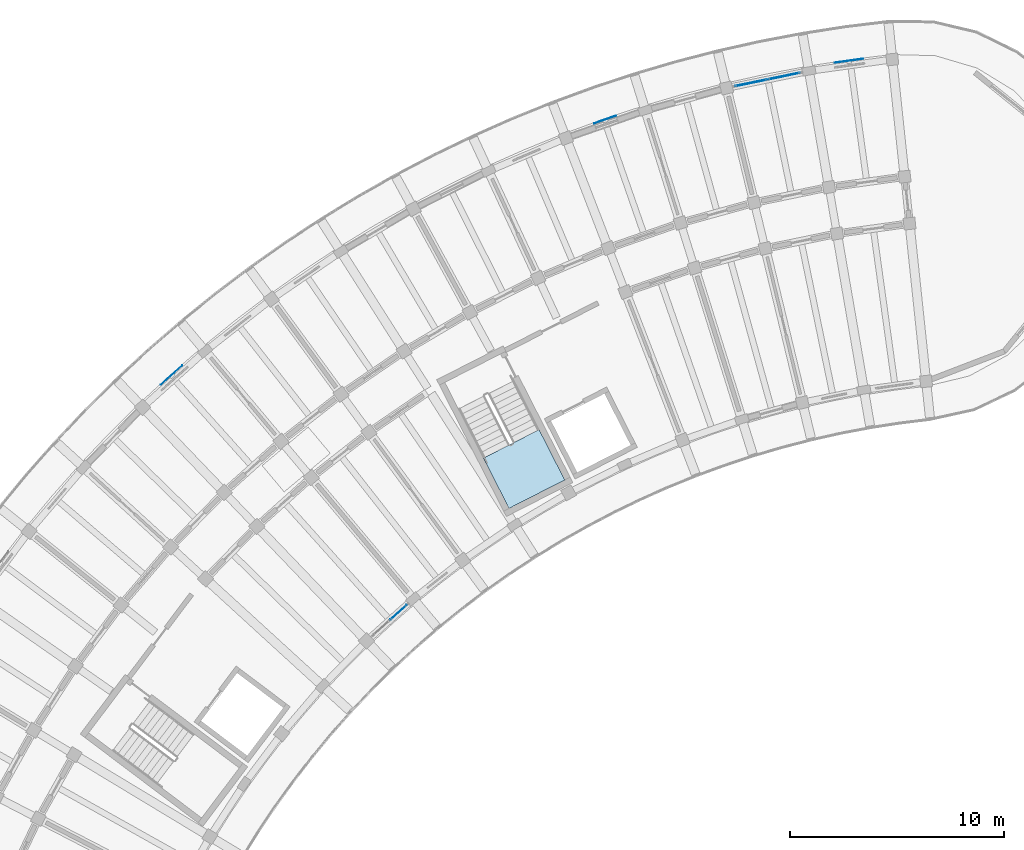
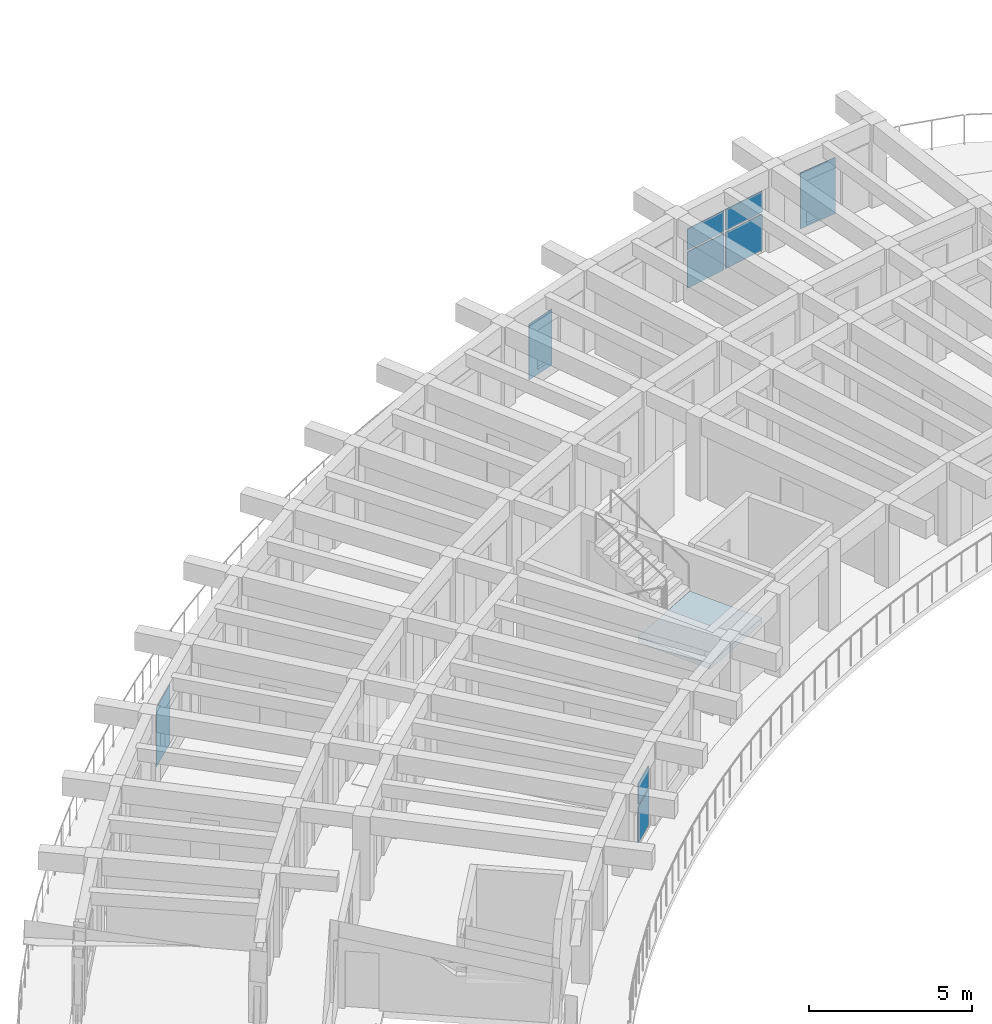
# One storey, part 34 of 81: 9 plates, 1 slab, 3 elements without a shape of their own.
"""IFC4 building model written with IfcOpenShell, lengths in metres."""

from ifc_helpers import new_model, si_unit, direction, frame, origin, origin_2d, place, context, subcontext, project, spatial, polyline, rectangle, outline, extrude, material, layer, layer_set, type_object, element, aggregate, save


model = new_model("IFC4")

# Units and contexts
model_context = context("Model", 3, precision=1e-05, world=origin(), true_north=direction((0.0, 1.0)))
body_context = subcontext(model_context, "Body", "Model", "MODEL_VIEW")
ifc_project = project(units=[si_unit("LENGTHUNIT", "METRE"), si_unit("AREAUNIT", "SQUARE_METRE"), si_unit("VOLUMEUNIT", "CUBIC_METRE"), si_unit("PLANEANGLEUNIT", "RADIAN"), si_unit("MASSUNIT", "GRAM", prefix="KILO")], contexts=[model_context])

# Site, building, storey
site_placement = place(None, origin())
site = spatial("IfcSite", under=ifc_project, at=site_placement, CompositionType="ELEMENT")
building_placement = place(site_placement, origin())
building = spatial("IfcBuilding", under=site, at=building_placement, Name="Tanwirah Colonnade Gardens", CompositionType="ELEMENT")
storey_placement = place(building_placement, frame((0.0, 0.0, 18.919921875)))
storey = spatial("IfcBuildingStorey", under=building, at=storey_placement, Name="L05", CompositionType="ELEMENT", Elevation=18.919921875)

# Curtain wall, plates
ifc_material_1 = material(Name="Bronze-anodised aluminium and solar-control low-E glass", Category="aluminium")
curtain_wall_type_1 = type_object("IfcCurtainWallType", Name="CW-LOB", PredefinedType="NOTDEFINED", material=ifc_material_1)
curtain_wall_1_placement = place(storey_placement, origin())
curtain_wall_1 = element("IfcCurtainWall", 1, at=curtain_wall_1_placement, inside=storey, type_object=curtain_wall_type_1, Name="Curtain Wall CW-A-L05-OUT-01", PredefinedType="NOTDEFINED")
ifc_material_2 = material(Name="Acoustic solar-control low-E double glazing", Category="glass")
ifc_layer_1 = layer(ifc_material_2, 0.031982421875)
ifc_layer_set_1 = layer_set([ifc_layer_1], Name="Acoustic solar-control low-E double glazing")
plate_type_1 = type_object("IfcPlateType", Name="CWP-GLZ32", PredefinedType="CURTAIN_PANEL", material=ifc_layer_set_1)
plate_1_placement = place(storey_placement, frame((53.732177734375, 118.646484375, 0.070068359375), z_axis=(0.0, 0.0, 1.0), x_axis=(-0.979340523595, -0.202218047772, 0.0)))
plate_1 = element("IfcPlate", 2, at=plate_1_placement, type_object=plate_type_1, Name="CW-LOB panel 1.1", PredefinedType="CURTAIN_PANEL", context=body_context, shape_type="SweptSolid", body=[
    extrude(rectangle(XDim=1.497802734375, YDim=0.031982421875, at=origin_2d()), origin(), (0.0, 0.0, 1.0), 1.35498046875),
])
plate_2_placement = place(storey_placement, frame((53.732177734375, 118.646484375, 1.4951171875), z_axis=(0.0, 0.0, 1.0), x_axis=(-0.979340523595, -0.202218047772, 0.0)))
plate_2 = element("IfcPlate", 3, at=plate_2_placement, type_object=plate_type_1, Name="CW-LOB panel 1.2", PredefinedType="CURTAIN_PANEL", context=body_context, shape_type="SweptSolid", body=[
    extrude(rectangle(XDim=1.497802734375, YDim=0.031982421875, at=origin_2d()), origin(), (0.0, 0.0, 1.0), 0.789794921875),
])
plate_3_placement = place(storey_placement, frame((52.19677734375, 118.32958984375, 0.070068359375), z_axis=(0.0, 0.0, 1.0), x_axis=(-0.979340523595, -0.202218047772, 0.0)))
plate_3 = element("IfcPlate", 4, at=plate_3_placement, type_object=plate_type_1, Name="CW-LOB panel 2.1", PredefinedType="CURTAIN_PANEL", context=body_context, shape_type="SweptSolid", body=[
    extrude(rectangle(XDim=1.497802734375, YDim=0.031982421875, at=origin_2d()), origin(), (0.0, 0.0, 1.0), 1.35498046875),
])
plate_4_placement = place(storey_placement, frame((52.19677734375, 118.32958984375, 1.4951171875), z_axis=(0.0, 0.0, 1.0), x_axis=(-0.979340523595, -0.202218047772, 0.0)))
plate_4 = element("IfcPlate", 5, at=plate_4_placement, type_object=plate_type_1, Name="CW-LOB panel 2.2", PredefinedType="CURTAIN_PANEL", context=body_context, shape_type="SweptSolid", body=[
    extrude(rectangle(XDim=1.497802734375, YDim=0.031982421875, at=origin_2d()), origin(), (0.0, 0.0, 1.0), 0.789794921875),
])
aggregate(curtain_wall_1, [plate_1, plate_2, plate_3, plate_4])

curtain_wall_type_2 = type_object("IfcCurtainWallType", Name="CW-GDN", PredefinedType="NOTDEFINED", material=ifc_material_1)
curtain_wall_2_placement = place(storey_placement, origin())
curtain_wall_2 = element("IfcCurtainWall", 6, at=curtain_wall_2_placement, inside=storey, type_object=curtain_wall_type_2, Name="Curtain Wall CW-A-L05-IN-09", PredefinedType="NOTDEFINED")
plate_5_placement = place(storey_placement, frame((35.735595703125, 93.629638671875, 0.070068359375), z_axis=(0.0, 0.0, 1.0), x_axis=(-0.744440162253, -0.667689182798, 0.0)))
plate_5 = element("IfcPlate", 7, at=plate_5_placement, type_object=plate_type_1, Name="CW-GDN panel 1.1", PredefinedType="CURTAIN_PANEL", context=body_context, shape_type="SweptSolid", body=[
    extrude(rectangle(XDim=1.000244140625, YDim=0.031982421875, at=origin_2d()), origin(), (0.0, 0.0, 1.0), 1.35498046875),
])
plate_6_placement = place(storey_placement, frame((35.735595703125, 93.629638671875, 1.4951171875), z_axis=(0.0, 0.0, 1.0), x_axis=(-0.744440162253, -0.667689182798, 0.0)))
plate_6 = element("IfcPlate", 8, at=plate_6_placement, type_object=plate_type_1, Name="CW-GDN panel 1.2", PredefinedType="CURTAIN_PANEL", context=body_context, shape_type="SweptSolid", body=[
    extrude(rectangle(XDim=1.000244140625, YDim=0.031982421875, at=origin_2d()), origin(), (0.0, 0.0, 1.0), 0.789794921875),
])
aggregate(curtain_wall_2, [plate_5, plate_6])

# Plates
ifc_material_3 = material(Name="Laser-cut bronze aluminium solar screen plate", Category="aluminium")
ifc_layer_2 = layer(ifc_material_3, 0.01611328125)
ifc_layer_set_2 = layer_set([ifc_layer_2], Name="Laser-cut bronze aluminium solar screen plate")
plate_type_2 = type_object("IfcPlateType", Name="PLT-SCR16", PredefinedType="SHEET", material=ifc_layer_set_2)
plate_7_placement = place(storey_placement, frame((56.759033203125, 119.364013671875, 0.0), z_axis=(0.0, 0.0, 1.0), x_axis=(-0.990536278911, -0.137251157233, 0.0)))
element("IfcPlate", 9, at=plate_7_placement, inside=storey, type_object=plate_type_2, Name="Perforated solar screen plate A-L05-00", PredefinedType="SHEET", context=body_context, shape_type="SweptSolid", body=[
    extrude(rectangle(XDim=1.35009765625, YDim=0.01611328125, at=origin_2d()), origin(), (0.0, 0.0, 1.0), 2.10009765625),
])
plate_8_placement = place(storey_placement, frame((45.373291015625, 116.618896484375, 0.0), z_axis=(0.0, 0.0, 1.0), x_axis=(-0.944248569489, -0.329233411151, 0.0)))
element("IfcPlate", 10, at=plate_8_placement, inside=storey, type_object=plate_type_2, Name="Perforated solar screen plate A-L05-03", PredefinedType="SHEET", context=body_context, shape_type="SweptSolid", body=[
    extrude(rectangle(XDim=1.080078125, YDim=0.01611328125, at=origin_2d()), origin(), (0.0, 0.0, 1.0), 2.10009765625),
])
plate_9_placement = place(storey_placement, frame((25.147216796875, 104.69775390625, 0.0), z_axis=(0.0, 0.0, 1.0), x_axis=(-0.744443246346, -0.667685744172, 0.0)))
element("IfcPlate", 11, at=plate_9_placement, inside=storey, type_object=plate_type_2, Name="Perforated solar screen plate A-L05-09", PredefinedType="SHEET", context=body_context, shape_type="SweptSolid", body=[
    extrude(rectangle(XDim=1.35009765625, YDim=0.01611328125, at=origin_2d()), origin(), (0.0, 0.0, 1.0), 2.2099609375),
])

# Stair, slab
ifc_material_4 = material(Name="Precast concrete C40/50", Category="concrete")
stair_type = type_object("IfcStairType", Name="ST-RES168", PredefinedType="HALF_TURN_STAIR", material=ifc_material_4)
stair_placement = place(storey_placement, origin())
stair = element("IfcStair", 12, at=stair_placement, inside=storey, type_object=stair_type, Name="L05 Block A Core 1 Exit Stair", PredefinedType="HALF_TURN_STAIR")
ifc_layer_3 = layer(ifc_material_4, 0.205078125)
ifc_layer_set_3 = layer_set([ifc_layer_3], Name="Precast concrete C40/50")
slab_type = type_object("IfcSlabType", Name="SL-LND-205", PredefinedType="LANDING", material=ifc_layer_set_3)
slab_placement = place(storey_placement, frame((0.0, 0.0, 1.47509765625)))
slab = element("IfcSlab", 13, at=slab_placement, type_object=slab_type, Name="ST-A1 landing 1", PredefinedType="LANDING", context=body_context, shape_type="SweptSolid", body=[
    extrude(outline(polyline([(39.6982421875, 100.826171875), (40.89453125, 98.478515625), (43.496337890625, 99.80419921875), (42.300048828125, 102.15185546875), (39.6982421875, 100.826171875)])), origin(), (0.0, 0.0, 1.0), 0.205078125),
])
aggregate(stair, [slab])

save(model, "model.ifc")
